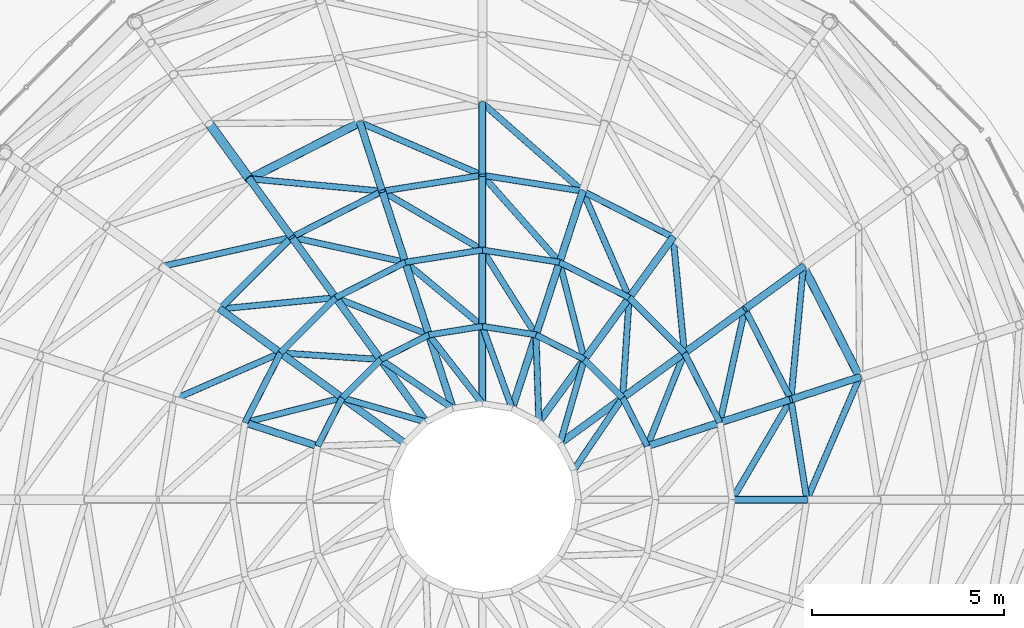
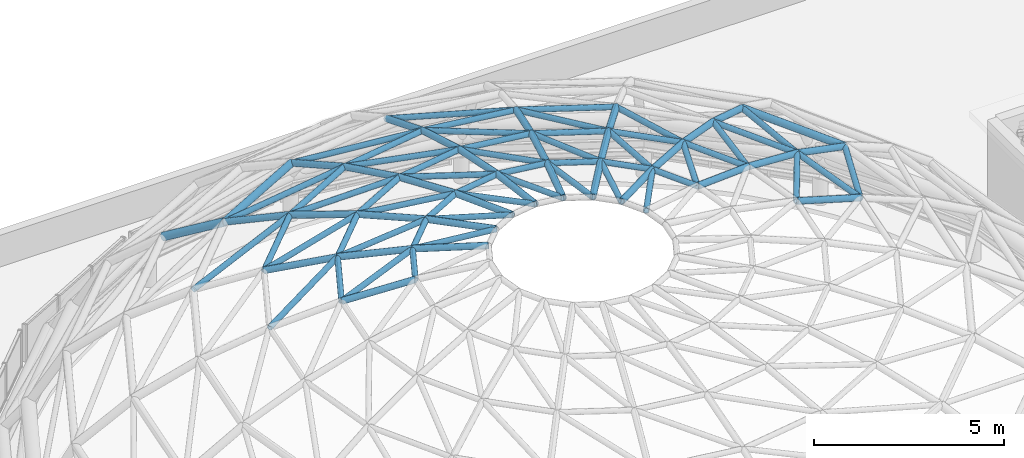
# One storey, part 26 of 69: 86 members.
"""IFC4 building model written with IfcOpenShell, lengths in metres."""

from ifc_helpers import new_model, si_unit, direction, frame, origin, origin_2d, place, context, subcontext, project, spatial, hollow_circle, extrude, material, material_profile, profile_set, type_object, element, save


model = new_model("IFC4")

# Units and contexts
model_context = context("Model", 3, precision=1e-05, world=origin(), true_north=direction((0.0, 1.0)))
body_context = subcontext(model_context, "Body", "Model", "MODEL_VIEW")
ifc_project = project(units=[si_unit("LENGTHUNIT", "METRE"), si_unit("AREAUNIT", "SQUARE_METRE"), si_unit("VOLUMEUNIT", "CUBIC_METRE"), si_unit("PLANEANGLEUNIT", "RADIAN"), si_unit("MASSUNIT", "GRAM", prefix="KILO")], contexts=[model_context])

# Site, building, storey
site_placement = place(None, origin())
site = spatial("IfcSite", under=ifc_project, at=site_placement, CompositionType="ELEMENT")
building_placement = place(site_placement, origin())
building = spatial("IfcBuilding", under=site, at=building_placement, Name="Kallimachos Central Library", CompositionType="ELEMENT")
storey_placement = place(building_placement, frame((0.0, 0.0, 23.39990234375)))
storey = spatial("IfcBuildingStorey", under=building, at=storey_placement, Name="L05", CompositionType="ELEMENT", Elevation=23.39990234375)

# Members
ifc_material_1 = material(Name="Steel S355J2H", Category="steel")
ifc_material_profile_1 = material_profile(ifc_material_1, hollow_circle(Radius=0.084228515625, WallThickness=0.008056640625, at=origin_2d()), Name="CHS 168.3x8")
ifc_profile_set_1 = profile_set([ifc_material_profile_1], Name="Steel S355J2H")
member_type_1 = type_object("IfcMemberType", Name="CHS 168.3x8 dome diagonal", PredefinedType="BRACE", material=ifc_profile_set_1)
member_1_placement = place(storey_placement, frame((90.377685546875, 105.172607421875, 8.245849609375), z_axis=(0.557449997984, 0.822719307369, -0.111276417222), x_axis=(-0.827860741226, 0.560933679803, 0.0)))
element("IfcMember", 1, at=member_1_placement, inside=storey, type_object=member_type_1, Name="Dome diagonal DD-0-01", PredefinedType="BRACE", context=body_context, shape_type="SweptSolid", body=[
    extrude(hollow_circle(Radius=0.084228515625, WallThickness=0.008056640625, at=origin_2d()), origin(), (0.0, 0.0, 1.0), 2.2861328125),
])
member_2_placement = place(storey_placement, frame((90.0224609375, 105.869384765625, 8.245849609375), z_axis=(0.276017936049, 0.95469105076, -0.111261388535), x_axis=(-0.96065559132, 0.277742389393, 0.0)))
element("IfcMember", 2, at=member_2_placement, inside=storey, type_object=member_type_1, Name="Dome diagonal DD-0-02", PredefinedType="BRACE", context=body_context, shape_type="SweptSolid", body=[
    extrude(hollow_circle(Radius=0.084228515625, WallThickness=0.008056640625, at=origin_2d()), origin(), (0.0, 0.0, 1.0), 2.286376953125),
])
member_3_placement = place(storey_placement, frame((89.469482421875, 106.422607421875, 8.245849609375), z_axis=(-0.032571013126, 0.993255715022, -0.111275395662), x_axis=(-0.999462769933, -0.032774555943, 0.0)))
element("IfcMember", 3, at=member_3_placement, inside=storey, type_object=member_type_1, Name="Dome diagonal DD-0-03", PredefinedType="BRACE", context=body_context, shape_type="SweptSolid", body=[
    extrude(hollow_circle(Radius=0.084228515625, WallThickness=0.008056640625, at=origin_2d()), origin(), (0.0, 0.0, 1.0), 2.2861328125),
])
for number, where, z_axis, x_axis, name in (
    (4, (88.7724609375, 106.777587890625, 8.245849609375), (-0.337871164542, 0.93459179269, -0.111271097804), (-0.940431789554, -0.339982424834, 0.0), "Dome diagonal DD-0-04"),
    (5, (88.0, 106.89990234375, 8.245849609375), (-0.610157890663, 0.784427697726, -0.111267854755), (-0.789329073698, -0.613970368515, 0.0), "Dome diagonal DD-0-05"),
    (6, (87.2275390625, 106.777587890625, 8.245849609375), (-0.822704839711, 0.557474622729, -0.111260018557), (-0.560957422053, -0.82784465369, 0.0), "Dome diagonal DD-0-06"),
):
    element("IfcMember", number, at=place(storey_placement, frame(where, z_axis=z_axis, x_axis=x_axis)), inside=storey, type_object=member_type_1, Name=name, PredefinedType="BRACE", context=body_context, shape_type="SweptSolid", body=[
        extrude(hollow_circle(Radius=0.084228515625, WallThickness=0.008056640625, at=origin_2d()), origin(), (0.0, 0.0, 1.0), 2.286376953125),
    ])
member_4_placement = place(storey_placement, frame((86.530517578125, 106.422607421875, 8.245849609375), z_axis=(-0.954709730832, 0.275947421082, -0.111276011133), x_axis=(-0.277671891321, -0.960675970747, 0.0)))
element("IfcMember", 7, at=member_4_placement, inside=storey, type_object=member_type_1, Name="Dome diagonal DD-0-07", PredefinedType="BRACE", context=body_context, shape_type="SweptSolid", body=[
    extrude(hollow_circle(Radius=0.084228515625, WallThickness=0.008056640625, at=origin_2d()), origin(), (0.0, 0.0, 1.0), 2.2861328125),
])
for number, where, z_axis, x_axis, name in (
    (8, (92.29345703125, 105.794921875, 7.991455078125), (0.365800138903, 0.917777133765, -0.154516637023), (-0.928933451144, 0.370246733067, 0.0), "Dome diagonal DD-1-01"),
    (9, (91.652099609375, 107.053466796875, 7.991455078125), (0.064427439859, 0.985887514522, -0.154515092155), (-0.997871524197, 0.065210591133, 0.0), "Dome diagonal DD-1-02"),
):
    element("IfcMember", number, at=place(storey_placement, frame(where, z_axis=z_axis, x_axis=x_axis)), inside=storey, type_object=member_type_1, Name=name, PredefinedType="BRACE", context=body_context, shape_type="SweptSolid", body=[
        extrude(hollow_circle(Radius=0.084228515625, WallThickness=0.008056640625, at=origin_2d()), origin(), (0.0, 0.0, 1.0), 2.64501953125),
    ])
member_5_placement = place(storey_placement, frame((90.653564453125, 108.05224609375, 7.991455078125), z_axis=(-0.243508379204, 0.957510393284, -0.154523512808), x_axis=(-0.969150755166, -0.246468687181, 0.0)))
element("IfcMember", 10, at=member_5_placement, inside=storey, type_object=member_type_1, Name="Dome diagonal DD-1-03", PredefinedType="BRACE", context=body_context, shape_type="SweptSolid", body=[
    extrude(hollow_circle(Radius=0.084228515625, WallThickness=0.008056640625, at=origin_2d()), origin(), (0.0, 0.0, 1.0), 2.644775390625),
])
member_6_placement = place(storey_placement, frame((89.39501953125, 108.693359375, 7.991455078125), z_axis=(-0.527420174954, 0.835435772403, -0.154515466026), x_axis=(-0.845591007731, -0.533831291368, 0.0)))
element("IfcMember", 11, at=member_6_placement, inside=storey, type_object=member_type_1, Name="Dome diagonal DD-1-04", PredefinedType="BRACE", context=body_context, shape_type="SweptSolid", body=[
    extrude(hollow_circle(Radius=0.084228515625, WallThickness=0.008056640625, at=origin_2d()), origin(), (0.0, 0.0, 1.0), 2.64501953125),
])
member_7_placement = place(storey_placement, frame((88.0, 108.914306640625, 7.991455078125), z_axis=(-0.759773319033, 0.631559840703, -0.1545207795), x_axis=(-0.639237376434, -0.769009477555, 0.0)))
element("IfcMember", 12, at=member_7_placement, inside=storey, type_object=member_type_1, Name="Dome diagonal DD-1-05", PredefinedType="BRACE", context=body_context, shape_type="SweptSolid", body=[
    extrude(hollow_circle(Radius=0.084228515625, WallThickness=0.008056640625, at=origin_2d()), origin(), (0.0, 0.0, 1.0), 2.644775390625),
])
member_8_placement = place(storey_placement, frame((86.60498046875, 108.693359375, 7.991455078125), z_axis=(-0.917746142901, 0.365880087545, -0.154511419412), x_axis=(-0.370327347691, -0.928901316369, 0.0)))
element("IfcMember", 13, at=member_8_placement, inside=storey, type_object=member_type_1, Name="Dome diagonal DD-1-06", PredefinedType="BRACE", context=body_context, shape_type="SweptSolid", body=[
    extrude(hollow_circle(Radius=0.084228515625, WallThickness=0.008056640625, at=origin_2d()), origin(), (0.0, 0.0, 1.0), 2.64501953125),
])
member_9_placement = place(storey_placement, frame((85.346435546875, 108.05224609375, 7.991455078125), z_axis=(-0.985890787124, 0.064341374403, -0.154530072813), x_axis=(-0.065123633942, -0.997877203018, 0.0)))
element("IfcMember", 14, at=member_9_placement, inside=storey, type_object=member_type_1, Name="Dome diagonal DD-1-07", PredefinedType="BRACE", context=body_context, shape_type="SweptSolid", body=[
    extrude(hollow_circle(Radius=0.084228515625, WallThickness=0.008056640625, at=origin_2d()), origin(), (0.0, 0.0, 1.0), 2.644775390625),
])
member_10_placement = place(storey_placement, frame((84.347900390625, 107.053466796875, 7.991455078125), z_axis=(-0.957539585577, -0.243400027681, -0.154513328153), x_axis=(0.246358621257, -0.969178739827, 0.0)))
element("IfcMember", 15, at=member_10_placement, inside=storey, type_object=member_type_1, Name="Dome diagonal DD-1-08", PredefinedType="BRACE", context=body_context, shape_type="SweptSolid", body=[
    extrude(hollow_circle(Radius=0.084228515625, WallThickness=0.008056640625, at=origin_2d()), origin(), (0.0, 0.0, 1.0), 2.64501953125),
])
for number, where, z_axis, x_axis, name in (
    (16, (94.503173828125, 104.39990234375, 7.582763671875), (0.49751016938, 0.847216808102, -0.186298983981), (-0.86231324109, 0.506375230674, 0.0), "Dome diagonal DD-2-00"),
    (17, (94.184814453125, 106.40966796875, 7.582763671875), (0.211412831923, 0.95947682019, -0.186303102542), (-0.976574374254, 0.215180137446, 0.0), "Dome diagonal DD-2-01"),
    (18, (93.260986328125, 108.222412109375, 7.582763671875), (-0.095369352301, 0.977852702789, -0.186302920774), (-0.995277673982, -0.097068798661, 0.0), "Dome diagonal DD-2-02"),
    (19, (91.822509765625, 109.6611328125, 7.582763671875), (-0.392941914749, 0.900495188225, -0.1862929618), (-0.916539915669, -0.399943224702, 0.0), "Dome diagonal DD-2-03"),
    (20, (90.009521484375, 110.584716796875, 7.582763671875), (-0.65194190853, 0.7350286613, -0.186291746916), (-0.748124985119, -0.66355783971, 0.0), "Dome diagonal DD-2-04"),
    (21, (88.0, 110.903076171875, 7.582763671875), (-0.84718342101, 0.497569769146, -0.186291642316), (-0.506435174875, -0.862278037323, 0.0), "Dome diagonal DD-2-05"),
):
    element("IfcMember", number, at=place(storey_placement, frame(where, z_axis=z_axis, x_axis=x_axis)), inside=storey, type_object=member_type_1, Name=name, PredefinedType="BRACE", context=body_context, shape_type="SweptSolid", body=[
        extrude(hollow_circle(Radius=0.084228515625, WallThickness=0.008056640625, at=origin_2d()), origin(), (0.0, 0.0, 1.0), 3.082275390625),
    ])
member_11_placement = place(storey_placement, frame((85.990478515625, 110.584716796875, 7.582763671875), z_axis=(-0.959483109122, 0.211396765581, -0.186288944416), x_axis=(-0.215163196886, -0.976578106813, 0.0)))
element("IfcMember", 22, at=member_11_placement, inside=storey, type_object=member_type_1, Name="Dome diagonal DD-2-06", PredefinedType="BRACE", context=body_context, shape_type="SweptSolid", body=[
    extrude(hollow_circle(Radius=0.084228515625, WallThickness=0.008056640625, at=origin_2d()), origin(), (0.0, 0.0, 1.0), 3.08251953125),
])
for number, where, z_axis, x_axis, name in (
    (23, (84.177490234375, 109.6611328125, 7.582763671875), (-0.977845312865, -0.095447841393, -0.186301512828), (0.097148660001, -0.995269881921, 0.0), "Dome diagonal DD-2-07"),
    (24, (82.739013671875, 108.222412109375, 7.582763671875), (-0.900495188225, -0.392941914749, -0.1862929618), (0.399943224702, -0.916539915669, 0.0), "Dome diagonal DD-2-08"),
):
    element("IfcMember", number, at=place(storey_placement, frame(where, z_axis=z_axis, x_axis=x_axis)), inside=storey, type_object=member_type_1, Name=name, PredefinedType="BRACE", context=body_context, shape_type="SweptSolid", body=[
        extrude(hollow_circle(Radius=0.084228515625, WallThickness=0.008056640625, at=origin_2d()), origin(), (0.0, 0.0, 1.0), 3.082275390625),
    ])
for number, where, z_axis, x_axis, name in (
    (25, (96.4501953125, 104.39990234375, 7.008544921875), (0.386787315711, 0.897107874125, -0.213525255153), (-0.918285799725, 0.395918160765, 0.0), "Dome diagonal DD-3-00"),
    (26, (96.03662109375, 107.01123046875, 7.008544921875), (0.090612055611, 0.97272487556, -0.213531664736), (-0.995689311114, 0.092751257315, 0.0), "Dome diagonal DD-3-01"),
):
    element("IfcMember", number, at=place(storey_placement, frame(where, z_axis=z_axis, x_axis=x_axis)), inside=storey, type_object=member_type_1, Name=name, PredefinedType="BRACE", context=body_context, shape_type="SweptSolid", body=[
        extrude(hollow_circle(Radius=0.084228515625, WallThickness=0.008056640625, at=origin_2d()), origin(), (0.0, 0.0, 1.0), 3.559326171875),
    ])
for number, where, z_axis, x_axis, name in (
    (27, (90.611328125, 112.436767578125, 7.008544921875), (-0.733719531078, 0.645022882454, -0.213544212813), (-0.66025266622, -0.751043551833, 0.0), "Dome diagonal DD-3-04"),
    (28, (88.0, 112.850341796875, 7.008544921875), (-0.89711828597, 0.386752783017, -0.213544060577), (-0.395884478525, -0.918300321062, 0.0), "Dome diagonal DD-3-05"),
    (29, (85.388671875, 112.436767578125, 7.008544921875), (-0.972721184425, 0.090618101878, -0.213545913055), (-0.092757742029, -0.995688707023, 0.0), "Dome diagonal DD-3-06"),
):
    element("IfcMember", number, at=place(storey_placement, frame(where, z_axis=z_axis, x_axis=x_axis)), inside=storey, type_object=member_type_1, Name=name, PredefinedType="BRACE", context=body_context, shape_type="SweptSolid", body=[
        extrude(hollow_circle(Radius=0.084228515625, WallThickness=0.008056640625, at=origin_2d()), origin(), (0.0, 0.0, 1.0), 3.55908203125),
    ])
member_12_placement = place(storey_placement, frame((83.032958984375, 111.236328125, 7.008544921875), z_axis=(-0.953121366565, -0.214373418059, -0.213550224134), x_axis=(0.219435333332, -0.975627046819, 0.0)))
element("IfcMember", 30, at=member_12_placement, inside=storey, type_object=member_type_1, Name="Dome diagonal DD-3-07", PredefinedType="BRACE", context=body_context, shape_type="SweptSolid", body=[
    extrude(hollow_circle(Radius=0.084228515625, WallThickness=0.008056640625, at=origin_2d()), origin(), (0.0, 0.0, 1.0), 3.558837890625),
])
ifc_material_2 = material(Name="Steel S355J2H", Category="steel")
ifc_material_profile_2 = material_profile(ifc_material_2, hollow_circle(Radius=0.084228515625, WallThickness=0.008056640625, at=origin_2d()), Name="CHS 168.3x8")
ifc_profile_set_2 = profile_set([ifc_material_profile_2], Name="Steel S355J2H")
member_type_2 = type_object("IfcMemberType", Name="CHS 168.3x8 dome ring", PredefinedType="PURLIN", material=ifc_profile_set_2)
member_13_placement = place(storey_placement, frame((92.29345703125, 105.794921875, 7.991455078125), z_axis=(-0.454044878137, 0.890978814921, 0.0), x_axis=(-0.890978814921, -0.454044878137, 0.0)))
element("IfcMember", 31, at=member_13_placement, inside=storey, type_object=member_type_2, Name="Dome ring DN-1-01", PredefinedType="PURLIN", context=body_context, shape_type="SweptSolid", body=[
    extrude(hollow_circle(Radius=0.084228515625, WallThickness=0.008056640625, at=origin_2d()), origin(), (0.0, 0.0, 1.0), 1.41259765625),
])
for number, where, z_axis, x_axis, name in (
    (32, (91.652099609375, 107.053466796875, 7.991455078125), (-0.707020343099, 0.707193208709, 0.0), (-0.707193208709, -0.707020343099, 0.0), "Dome ring DN-1-02"),
    (33, (90.653564453125, 108.05224609375, 7.991455078125), (-0.891048730396, 0.453907655872, 0.0), (-0.453907655872, -0.891048730396, 0.0), "Dome ring DN-1-03"),
    (34, (89.39501953125, 108.693359375, 7.991455078125), (-0.987688572735, 0.156432999357, 0.0), (-0.156432999357, -0.987688572735, 0.0), "Dome ring DN-1-04"),
    (35, (88.0, 108.914306640625, 7.991455078125), (-0.987688572735, -0.156432999357, 0.0), (0.156432999357, -0.987688572735, 0.0), "Dome ring DN-1-05"),
    (36, (86.60498046875, 108.693359375, 7.991455078125), (-0.891048730396, -0.453907655872, 0.0), (0.453907655872, -0.891048730396, 0.0), "Dome ring DN-1-06"),
    (37, (85.346435546875, 108.05224609375, 7.991455078125), (-0.707020343099, -0.707193208709, 0.0), (0.707193208709, -0.707020343099, 0.0), "Dome ring DN-1-07"),
):
    element("IfcMember", number, at=place(storey_placement, frame(where, z_axis=z_axis, x_axis=x_axis)), inside=storey, type_object=member_type_2, Name=name, PredefinedType="PURLIN", context=body_context, shape_type="SweptSolid", body=[
        extrude(hollow_circle(Radius=0.084228515625, WallThickness=0.008056640625, at=origin_2d()), origin(), (0.0, 0.0, 1.0), 1.412353515625),
    ])
member_14_placement = place(storey_placement, frame((84.347900390625, 107.053466796875, 7.991455078125), z_axis=(-0.454044878137, -0.890978814921, 0.0), x_axis=(0.890978814921, -0.454044878137, 0.0)))
element("IfcMember", 38, at=member_14_placement, inside=storey, type_object=member_type_2, Name="Dome ring DN-1-08", PredefinedType="PURLIN", context=body_context, shape_type="SweptSolid", body=[
    extrude(hollow_circle(Radius=0.084228515625, WallThickness=0.008056640625, at=origin_2d()), origin(), (0.0, 0.0, 1.0), 1.41259765625),
])
member_15_placement = place(storey_placement, frame((94.184814453125, 106.40966796875, 7.582763671875), z_axis=(-0.454064188307, 0.890968974149, 0.0), x_axis=(-0.890968974149, -0.454064188307, 0.0)))
element("IfcMember", 39, at=member_15_placement, inside=storey, type_object=member_type_2, Name="Dome ring DN-2-01", PredefinedType="PURLIN", context=body_context, shape_type="SweptSolid", body=[
    extrude(hollow_circle(Radius=0.084228515625, WallThickness=0.008056640625, at=origin_2d()), origin(), (0.0, 0.0, 1.0), 2.03466796875),
])
member_16_placement = place(storey_placement, frame((93.260986328125, 108.222412109375, 7.582763671875), z_axis=(-0.707046778066, 0.707166779216, 0.0), x_axis=(-0.707166779216, -0.707046778066, 0.0)))
element("IfcMember", 40, at=member_16_placement, inside=storey, type_object=member_type_2, Name="Dome ring DN-2-02", PredefinedType="PURLIN", context=body_context, shape_type="SweptSolid", body=[
    extrude(hollow_circle(Radius=0.084228515625, WallThickness=0.008056640625, at=origin_2d()), origin(), (0.0, 0.0, 1.0), 2.034423828125),
])
for number, where, z_axis, x_axis, name in (
    (41, (91.822509765625, 109.6611328125, 7.582763671875), (-0.891042243918, 0.453920389004, 0.0), (-0.453920389004, -0.891042243918, 0.0), "Dome ring DN-2-03"),
    (42, (90.009521484375, 110.584716796875, 7.582763671875), (-0.987682079267, 0.15647399239, 0.0), (-0.15647399239, -0.987682079267, 0.0), "Dome ring DN-2-04"),
    (43, (88.0, 110.903076171875, 7.582763671875), (-0.987682079267, -0.15647399239, 0.0), (0.15647399239, -0.987682079267, 0.0), "Dome ring DN-2-05"),
    (44, (85.990478515625, 110.584716796875, 7.582763671875), (-0.891042243918, -0.453920389004, 0.0), (0.453920389004, -0.891042243918, 0.0), "Dome ring DN-2-06"),
):
    element("IfcMember", number, at=place(storey_placement, frame(where, z_axis=z_axis, x_axis=x_axis)), inside=storey, type_object=member_type_2, Name=name, PredefinedType="PURLIN", context=body_context, shape_type="SweptSolid", body=[
        extrude(hollow_circle(Radius=0.084228515625, WallThickness=0.008056640625, at=origin_2d()), origin(), (0.0, 0.0, 1.0), 2.03466796875),
    ])
member_17_placement = place(storey_placement, frame((84.177490234375, 109.6611328125, 7.582763671875), z_axis=(-0.707046778066, -0.707166779216, 0.0), x_axis=(0.707166779216, -0.707046778066, 0.0)))
element("IfcMember", 45, at=member_17_placement, inside=storey, type_object=member_type_2, Name="Dome ring DN-2-07", PredefinedType="PURLIN", context=body_context, shape_type="SweptSolid", body=[
    extrude(hollow_circle(Radius=0.084228515625, WallThickness=0.008056640625, at=origin_2d()), origin(), (0.0, 0.0, 1.0), 2.034423828125),
])
member_18_placement = place(storey_placement, frame((82.739013671875, 108.222412109375, 7.582763671875), z_axis=(-0.454064188307, -0.890968974149, 0.0), x_axis=(0.890968974149, -0.454064188307, 0.0)))
element("IfcMember", 46, at=member_18_placement, inside=storey, type_object=member_type_2, Name="Dome ring DN-2-08", PredefinedType="PURLIN", context=body_context, shape_type="SweptSolid", body=[
    extrude(hollow_circle(Radius=0.084228515625, WallThickness=0.008056640625, at=origin_2d()), origin(), (0.0, 0.0, 1.0), 2.03466796875),
])
for number, where, z_axis, x_axis, name in (
    (47, (96.4501953125, 104.39990234375, 7.008544921875), (-0.15642726083, 0.987689481603, 0.0), (-0.987689481603, -0.15642726083, 0.0), "Dome ring DN-3-00"),
    (48, (96.03662109375, 107.01123046875, 7.008544921875), (-0.453960364192, 0.891021878375, 0.0), (-0.891021878375, -0.453960364192, 0.0), "Dome ring DN-3-01"),
):
    element("IfcMember", number, at=place(storey_placement, frame(where, z_axis=z_axis, x_axis=x_axis)), inside=storey, type_object=member_type_2, Name=name, PredefinedType="PURLIN", context=body_context, shape_type="SweptSolid", body=[
        extrude(hollow_circle(Radius=0.084228515625, WallThickness=0.008056640625, at=origin_2d()), origin(), (0.0, 0.0, 1.0), 2.643798828125),
    ])
member_19_placement = place(storey_placement, frame((92.967041015625, 111.236328125, 7.008544921875), z_axis=(-0.890984525053, 0.454033672887, 0.0), x_axis=(-0.454033672887, -0.890984525053, 0.0)))
element("IfcMember", 49, at=member_19_placement, inside=storey, type_object=member_type_2, Name="Dome ring DN-3-03", PredefinedType="PURLIN", context=body_context, shape_type="SweptSolid", body=[
    extrude(hollow_circle(Radius=0.084228515625, WallThickness=0.008056640625, at=origin_2d()), origin(), (0.0, 0.0, 1.0), 2.64404296875),
])
for number, where, z_axis, x_axis, name in (
    (50, (90.611328125, 112.436767578125, 7.008544921875), (-0.987689481603, 0.15642726083, 0.0), (-0.15642726083, -0.987689481603, 0.0), "Dome ring DN-3-04"),
    (51, (88.0, 112.850341796875, 7.008544921875), (-0.987689481603, -0.15642726083, 0.0), (0.15642726083, -0.987689481603, 0.0), "Dome ring DN-3-05"),
):
    element("IfcMember", number, at=place(storey_placement, frame(where, z_axis=z_axis, x_axis=x_axis)), inside=storey, type_object=member_type_2, Name=name, PredefinedType="PURLIN", context=body_context, shape_type="SweptSolid", body=[
        extrude(hollow_circle(Radius=0.084228515625, WallThickness=0.008056640625, at=origin_2d()), origin(), (0.0, 0.0, 1.0), 2.643798828125),
    ])
member_20_placement = place(storey_placement, frame((85.388671875, 112.436767578125, 7.008544921875), z_axis=(-0.890984525053, -0.454033672887, 0.0), x_axis=(0.454033672887, -0.890984525053, 0.0)))
element("IfcMember", 52, at=member_20_placement, inside=storey, type_object=member_type_2, Name="Dome ring DN-3-06", PredefinedType="PURLIN", context=body_context, shape_type="SweptSolid", body=[
    extrude(hollow_circle(Radius=0.084228515625, WallThickness=0.008056640625, at=origin_2d()), origin(), (0.0, 0.0, 1.0), 2.64404296875),
])
member_21_placement = place(storey_placement, frame((83.032958984375, 111.236328125, 7.008544921875), z_axis=(-0.707106781187, -0.707106781187, 0.0), x_axis=(0.707106781187, -0.707106781187, 0.0)))
element("IfcMember", 53, at=member_21_placement, inside=storey, type_object=member_type_2, Name="Dome ring DN-3-07", PredefinedType="PURLIN", context=body_context, shape_type="SweptSolid", body=[
    extrude(hollow_circle(Radius=0.084228515625, WallThickness=0.008056640625, at=origin_2d()), origin(), (0.0, 0.0, 1.0), 2.643798828125),
])
ifc_material_3 = material(Name="Steel S355J2H", Category="steel")
ifc_material_profile_3 = material_profile(ifc_material_3, hollow_circle(Radius=0.096923828125, WallThickness=0.010009765625, at=origin_2d()), Name="CHS 193.7x10")
ifc_profile_set_3 = profile_set([ifc_material_profile_3], Name="Steel S355J2H")
member_type_3 = type_object("IfcMemberType", Name="CHS 193.7x10 dome rib", PredefinedType="RAFTER", material=ifc_profile_set_3)
for number, where, z_axis, x_axis, name in (
    (54, (90.0224609375, 105.869384765625, 8.245849609375), (0.80262293852, 0.583179213756, -0.125293348605), (-0.587811320295, 0.808998054221, 0.0), "Dome rib DR-0-02"),
    (55, (89.469482421875, 106.422607421875, 8.245849609375), (0.583179213756, 0.80262293852, -0.125293348605), (-0.808998054221, 0.587811320295, 0.0), "Dome rib DR-0-03"),
    (56, (88.7724609375, 106.777587890625, 8.245849609375), (0.306620477776, 0.943549368278, -0.125293544252), (-0.951043865524, 0.309055926734, 0.0), "Dome rib DR-0-04"),
):
    element("IfcMember", number, at=place(storey_placement, frame(where, z_axis=z_axis, x_axis=x_axis)), inside=storey, type_object=member_type_3, Name=name, PredefinedType="RAFTER", context=body_context, shape_type="SweptSolid", body=[
        extrude(hollow_circle(Radius=0.096923828125, WallThickness=0.010009765625, at=origin_2d()), origin(), (0.0, 0.0, 1.0), 2.0302734375),
    ])
member_22_placement = place(storey_placement, frame((88.0, 106.89990234375, 8.245849609375), z_axis=(0.0, 0.992119839345, -0.125292555157), x_axis=(-1.0, 0.0, 0.0)))
element("IfcMember", 57, at=member_22_placement, inside=storey, type_object=member_type_3, Name="Dome rib DR-0-05", PredefinedType="RAFTER", context=body_context, shape_type="SweptSolid", body=[
    extrude(hollow_circle(Radius=0.096923828125, WallThickness=0.010009765625, at=origin_2d()), origin(), (0.0, 0.0, 1.0), 2.030517578125),
])
for number, where, z_axis, x_axis, name in (
    (58, (87.2275390625, 106.777587890625, 8.245849609375), (-0.306620477776, 0.943549368278, -0.125293544252), (-0.951043865524, -0.309055926734, 0.0), "Dome rib DR-0-06"),
    (59, (86.530517578125, 106.422607421875, 8.245849609375), (-0.583179213756, 0.80262293852, -0.125293348605), (-0.808998054221, -0.587811320295, 0.0), "Dome rib DR-0-07"),
    (60, (85.9775390625, 105.869384765625, 8.245849609375), (-0.80262293852, 0.583179213756, -0.125293348605), (-0.587811320295, -0.808998054221, 0.0), "Dome rib DR-0-08"),
    (61, (92.29345703125, 105.794921875, 7.991455078125), (0.931559139715, 0.302783776146, -0.201294694705), (-0.309111054592, 0.951025949136, 0.0), "Dome rib DR-1-01"),
    (62, (91.652099609375, 107.053466796875, 7.991455078125), (0.792451363445, 0.575759807006, -0.201299481397), (-0.58779206115, 0.809012047406, 0.0), "Dome rib DR-1-02"),
    (63, (90.653564453125, 108.05224609375, 7.991455078125), (0.575759807006, 0.792451363445, -0.201299481397), (-0.809012047406, 0.58779206115, 0.0), "Dome rib DR-1-03"),
    (64, (89.39501953125, 108.693359375, 7.991455078125), (0.302674546527, 0.931593052025, -0.201302022601), (-0.951062032264, 0.309000017453, 0.0), "Dome rib DR-1-04"),
    (65, (88.0, 108.914306640625, 7.991455078125), (0.0, 0.979531021361, -0.201293264149), (-1.0, 0.0, 0.0), "Dome rib DR-1-05"),
    (66, (86.60498046875, 108.693359375, 7.991455078125), (-0.302674546527, 0.931593052025, -0.201302022601), (-0.951062032264, -0.309000017453, 0.0), "Dome rib DR-1-06"),
    (67, (85.346435546875, 108.05224609375, 7.991455078125), (-0.575759807006, 0.792451363445, -0.201299481397), (-0.809012047406, -0.58779206115, 0.0), "Dome rib DR-1-07"),
    (68, (84.347900390625, 107.053466796875, 7.991455078125), (-0.792451363445, 0.575759807006, -0.201299481397), (-0.58779206115, -0.809012047406, 0.0), "Dome rib DR-1-08"),
    (69, (83.70654296875, 105.794921875, 7.991455078125), (-0.931559139715, 0.302783776146, -0.201294694705), (-0.309111054592, -0.951025949136, 0.0), "Dome rib DR-1-09"),
):
    element("IfcMember", number, at=place(storey_placement, frame(where, z_axis=z_axis, x_axis=x_axis)), inside=storey, type_object=member_type_3, Name=name, PredefinedType="RAFTER", context=body_context, shape_type="SweptSolid", body=[
        extrude(hollow_circle(Radius=0.096923828125, WallThickness=0.010009765625, at=origin_2d()), origin(), (0.0, 0.0, 1.0), 2.0302734375),
    ])
for number, where, z_axis, x_axis, name in (
    (70, (94.503173828125, 104.39990234375, 7.582763671875), (0.959156489441, 0.0, -0.282875995381), (0.0, 1.0, 0.0), "Dome rib DR-2-00"),
    (71, (94.184814453125, 106.40966796875, 7.582763671875), (0.912231924273, 0.296340074016, -0.282870070651), (-0.308958483241, 0.951075525725, 0.0), "Dome rib DR-2-01"),
):
    element("IfcMember", number, at=place(storey_placement, frame(where, z_axis=z_axis, x_axis=x_axis)), inside=storey, type_object=member_type_3, Name=name, PredefinedType="RAFTER", context=body_context, shape_type="SweptSolid", body=[
        extrude(hollow_circle(Radius=0.096923828125, WallThickness=0.010009765625, at=origin_2d()), origin(), (0.0, 0.0, 1.0), 2.030029296875),
    ])
member_23_placement = place(storey_placement, frame((93.260986328125, 108.222412109375, 7.582763671875), z_axis=(0.776004317907, 0.563754570331, -0.282839323682), x_axis=(-0.58775415718, 0.809039585384, 0.0)))
element("IfcMember", 72, at=member_23_placement, inside=storey, type_object=member_type_3, Name="Dome rib DR-2-02", PredefinedType="RAFTER", context=body_context, shape_type="SweptSolid", body=[
    extrude(hollow_circle(Radius=0.096923828125, WallThickness=0.010009765625, at=origin_2d()), origin(), (0.0, 0.0, 1.0), 2.0302734375),
])
member_24_placement = place(storey_placement, frame((91.822509765625, 109.6611328125, 7.582763671875), z_axis=(0.563807182212, 0.775956471764, -0.282865719403), x_axis=(-0.808996267662, 0.587813779107, 0.0)))
element("IfcMember", 73, at=member_24_placement, inside=storey, type_object=member_type_3, Name="Dome rib DR-2-03", PredefinedType="RAFTER", context=body_context, shape_type="SweptSolid", body=[
    extrude(hollow_circle(Radius=0.096923828125, WallThickness=0.010009765625, at=origin_2d()), origin(), (0.0, 0.0, 1.0), 2.030029296875),
])
for number, where, z_axis, x_axis, name in (
    (74, (90.009521484375, 110.584716796875, 7.582763671875), (0.296417255787, 0.912219595294, -0.28282895968), (-0.951050650963, 0.309035045429, 0.0), "Dome rib DR-2-04"),
    (75, (88.0, 110.903076171875, 7.582763671875), (0.0, 0.959166111673, -0.282843366933), (-1.0, 0.0, 0.0), "Dome rib DR-2-05"),
    (76, (85.990478515625, 110.584716796875, 7.582763671875), (-0.296417255787, 0.912219595294, -0.28282895968), (-0.951050650963, -0.309035045429, 0.0), "Dome rib DR-2-06"),
):
    element("IfcMember", number, at=place(storey_placement, frame(where, z_axis=z_axis, x_axis=x_axis)), inside=storey, type_object=member_type_3, Name=name, PredefinedType="RAFTER", context=body_context, shape_type="SweptSolid", body=[
        extrude(hollow_circle(Radius=0.096923828125, WallThickness=0.010009765625, at=origin_2d()), origin(), (0.0, 0.0, 1.0), 2.0302734375),
    ])
member_25_placement = place(storey_placement, frame((84.177490234375, 109.6611328125, 7.582763671875), z_axis=(-0.563807182212, 0.775956471764, -0.282865719403), x_axis=(-0.808996267662, -0.587813779107, 0.0)))
element("IfcMember", 77, at=member_25_placement, inside=storey, type_object=member_type_3, Name="Dome rib DR-2-07", PredefinedType="RAFTER", context=body_context, shape_type="SweptSolid", body=[
    extrude(hollow_circle(Radius=0.096923828125, WallThickness=0.010009765625, at=origin_2d()), origin(), (0.0, 0.0, 1.0), 2.030029296875),
])
member_26_placement = place(storey_placement, frame((82.739013671875, 108.222412109375, 7.582763671875), z_axis=(-0.776004317907, 0.563754570331, -0.282839323682), x_axis=(-0.58775415718, -0.809039585384, 0.0)))
element("IfcMember", 78, at=member_26_placement, inside=storey, type_object=member_type_3, Name="Dome rib DR-2-08", PredefinedType="RAFTER", context=body_context, shape_type="SweptSolid", body=[
    extrude(hollow_circle(Radius=0.096923828125, WallThickness=0.010009765625, at=origin_2d()), origin(), (0.0, 0.0, 1.0), 2.0302734375),
])
member_27_placement = place(storey_placement, frame((96.03662109375, 107.01123046875, 7.008544921875), z_axis=(0.881880269853, 0.286584028782, -0.374375191607), x_axis=(-0.309059678962, 0.951042646173, 0.0)))
element("IfcMember", 79, at=member_27_placement, inside=storey, type_object=member_type_3, Name="Dome rib DR-3-01", PredefinedType="RAFTER", context=body_context, shape_type="SweptSolid", body=[
    extrude(hollow_circle(Radius=0.096923828125, WallThickness=0.010009765625, at=origin_2d()), origin(), (0.0, 0.0, 1.0), 2.030029296875),
])
for number, where, z_axis, x_axis, name in (
    (80, (94.83642578125, 109.366943359375, 7.008544921875), (0.750140450546, 0.545075600749, -0.374408725757), (-0.587832304237, 0.808982807045, 0.0), "Dome rib DR-3-02"),
    (81, (88.0, 112.850341796875, 7.008544921875), (0.0, 0.927252277742, -0.374437195565), (-1.0, 0.0, 0.0), "Dome rib DR-3-05"),
    (82, (85.388671875, 112.436767578125, 7.008544921875), (-0.286504025632, 0.881883927765, -0.374427805119), (-0.951068379711, -0.308980480151, 0.0), "Dome rib DR-3-06"),
):
    element("IfcMember", number, at=place(storey_placement, frame(where, z_axis=z_axis, x_axis=x_axis)), inside=storey, type_object=member_type_3, Name=name, PredefinedType="RAFTER", context=body_context, shape_type="SweptSolid", body=[
        extrude(hollow_circle(Radius=0.096923828125, WallThickness=0.010009765625, at=origin_2d()), origin(), (0.0, 0.0, 1.0), 2.02978515625),
    ])
member_28_placement = place(storey_placement, frame((83.032958984375, 111.236328125, 7.008544921875), z_axis=(-0.544941880115, 0.750242208819, -0.374399486382), x_axis=(-0.80908929226, -0.587685729918, 0.0)))
element("IfcMember", 83, at=member_28_placement, inside=storey, type_object=member_type_3, Name="Dome rib DR-3-07", PredefinedType="RAFTER", context=body_context, shape_type="SweptSolid", body=[
    extrude(hollow_circle(Radius=0.096923828125, WallThickness=0.010009765625, at=origin_2d()), origin(), (0.0, 0.0, 1.0), 2.030029296875),
])
ifc_material_4 = material(Name="Steel S355J2H", Category="steel")
ifc_material_profile_4 = material_profile(ifc_material_4, hollow_circle(Radius=0.109619140625, WallThickness=0.012451171875, at=origin_2d()), Name="CHS 219.1x12.5")
ifc_profile_set_4 = profile_set([ifc_material_profile_4], Name="Steel S355J2H")
member_type_4 = type_object("IfcMemberType", Name="CHS 219.1x12.5 dome ring", PredefinedType="PURLIN", material=ifc_profile_set_4)
for number, where, z_axis, x_axis, name in (
    (84, (97.826904296875, 107.593017578125, 6.24853515625), (-0.454027596284, 0.890987621582, 0.0), (-0.890987621582, -0.454027596284, 0.0), "Dome ring DN-4-01"),
    (85, (84.80712890625, 114.226806640625, 6.24853515625), (-0.891018171034, -0.453967640794, 0.0), (0.453967640794, -0.891018171034, 0.0), "Dome ring DN-4-06"),
):
    element("IfcMember", number, at=place(storey_placement, frame(where, z_axis=z_axis, x_axis=x_axis)), inside=storey, type_object=member_type_4, Name=name, PredefinedType="PURLIN", context=body_context, shape_type="SweptSolid", body=[
        extrude(hollow_circle(Radius=0.109619140625, WallThickness=0.012451171875, at=origin_2d()), origin(), (0.0, 0.0, 1.0), 3.232666015625),
    ])
ifc_material_5 = material(Name="Steel S355J2H", Category="steel")
ifc_material_profile_5 = material_profile(ifc_material_5, hollow_circle(Radius=0.122314453125, WallThickness=0.012451171875, at=origin_2d()), Name="CHS 244.5x12.5")
ifc_profile_set_5 = profile_set([ifc_material_profile_5], Name="Steel S355J2H")
member_type_5 = type_object("IfcMemberType", Name="CHS 244.5x12.5 dome rib", PredefinedType="RAFTER", material=ifc_profile_set_5)
member_29_placement = place(storey_placement, frame((81.9267578125, 112.75927734375, 6.24853515625), z_axis=(-0.514718797347, 0.708309855068, -0.483075262119), x_axis=(-0.808961830898, -0.587861170814, 0.0)))
element("IfcMember", 86, at=member_29_placement, inside=storey, type_object=member_type_5, Name="Dome rib DR-4-07", PredefinedType="RAFTER", context=body_context, shape_type="SweptSolid", body=[
    extrude(hollow_circle(Radius=0.122314453125, WallThickness=0.012451171875, at=origin_2d()), origin(), (0.0, 0.0, 1.0), 2.029052734375),
])

save(model, "model.ifc")
